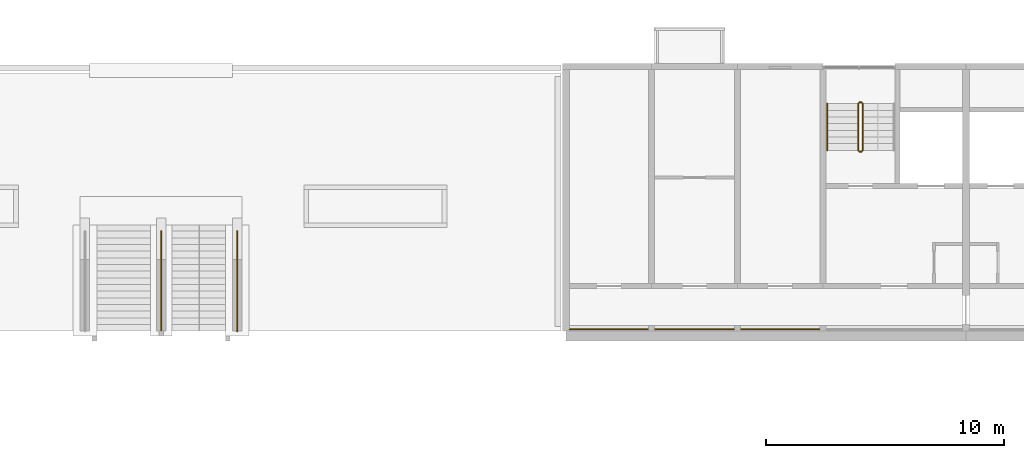
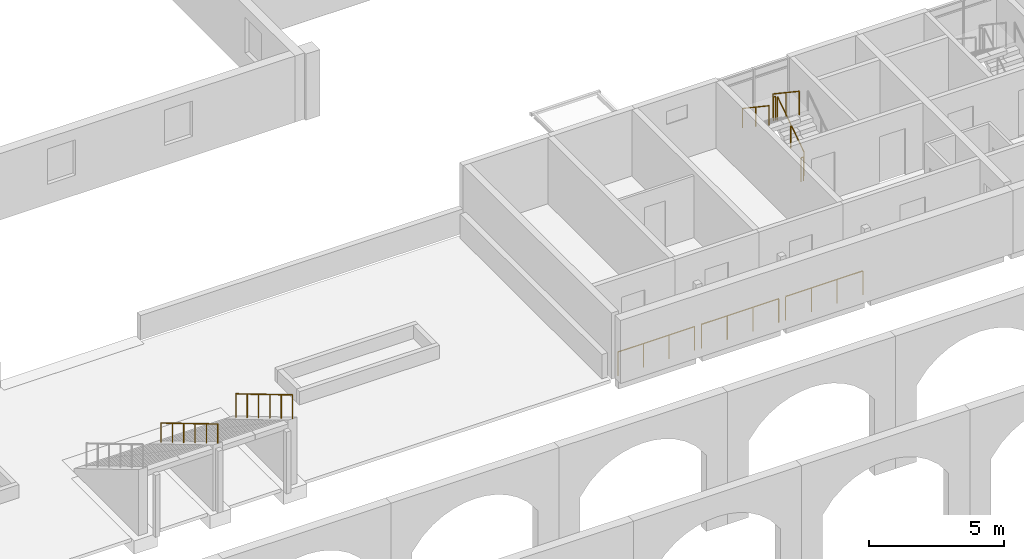
# One storey, part 111 of 122: 10 railings.
"""IFC4 building model written with IfcOpenShell, lengths in metres."""

from ifc_helpers import new_model, si_unit, direction, frame, origin, origin_2d, place, context, subcontext, project, spatial, circle, extrude, material, type_object, element, save


model = new_model("IFC4")

# Units and contexts
model_context = context("Model", 3, precision=1e-05, world=origin(), true_north=direction((0.0, 1.0)))
body_context = subcontext(model_context, "Body", "Model", "MODEL_VIEW")
ifc_project = project(units=[si_unit("LENGTHUNIT", "METRE"), si_unit("AREAUNIT", "SQUARE_METRE"), si_unit("VOLUMEUNIT", "CUBIC_METRE"), si_unit("PLANEANGLEUNIT", "RADIAN"), si_unit("MASSUNIT", "GRAM", prefix="KILO")], contexts=[model_context])

# Site, building, storey
site_placement = place(None, origin())
site = spatial("IfcSite", under=ifc_project, at=site_placement, CompositionType="ELEMENT")
building_placement = place(site_placement, origin())
building = spatial("IfcBuilding", under=site, at=building_placement, Name="Ridgestep Commons", CompositionType="ELEMENT")
storey_placement = place(building_placement, frame((0.0, 0.0, 3.0)))
storey = spatial("IfcBuildingStorey", under=building, at=storey_placement, Name="L01", CompositionType="ELEMENT", Elevation=3.0)

# Railings
ifc_material_1 = material(Name="Structural steel S355JR", Category="steel")
railing_type_1 = type_object("IfcRailingType", Name="Community stair guard 1100", PredefinedType="GUARDRAIL", material=ifc_material_1)
railing_1_placement = place(storey_placement, frame((133.0, 15.949951171875, 0.5)))
element("IfcRailing", 1, at=railing_1_placement, inside=storey, type_object=railing_type_1, Name="Stair guard", PredefinedType="GUARDRAIL", context=body_context, shape_type="SweptSolid", body=[
    extrude(circle(Radius=0.02392578125, at=origin_2d()), frame((0.0, 0.0, 1.076171875), z_axis=(0.0, -0.859290270856, 0.511488250512), x_axis=(1.0, 0.0, 0.0)), (0.0, 0.0, 1.0), 4.8876953125),
    extrude(circle(Radius=0.02099609375, at=origin_2d()), origin(), (0.0, 0.0, 1.0), 1.052001953125),
    extrude(circle(Radius=0.02099609375, at=origin_2d()), frame((0.0, -0.840087890625, 0.5)), (0.0, 0.0, 1.0), 1.052001953125),
    extrude(circle(Radius=0.02099609375, at=origin_2d()), frame((0.0, -1.679931640625, 1.0)), (0.0, 0.0, 1.0), 1.052001953125),
    extrude(circle(Radius=0.02099609375, at=origin_2d()), frame((0.0, -2.52001953125, 1.5)), (0.0, 0.0, 1.0), 1.052001953125),
    extrude(circle(Radius=0.02099609375, at=origin_2d()), frame((0.0, -3.35986328125, 2.0)), (0.0, 0.0, 1.0), 1.052001953125),
    extrude(circle(Radius=0.02099609375, at=origin_2d()), frame((0.0, -4.199951171875, 2.5)), (0.0, 0.0, 1.0), 1.052001953125),
])
ifc_material_2 = material(Name="Structural steel S355JR", Category="steel")
railing_type_2 = type_object("IfcRailingType", Name="Community stair handrail 900", PredefinedType="HANDRAIL", material=ifc_material_2)
railing_2_placement = place(storey_placement, frame((129.800048828125, 15.949951171875, 0.5)))
element("IfcRailing", 2, at=railing_2_placement, inside=storey, type_object=railing_type_2, Name="Stair centre handrail", PredefinedType="HANDRAIL", context=body_context, shape_type="SweptSolid", body=[
    extrude(circle(Radius=0.02392578125, at=origin_2d()), frame((0.0, 0.0, 0.8759765625), z_axis=(0.0, -0.859290270856, 0.511488250512), x_axis=(1.0, 0.0, 0.0)), (0.0, 0.0, 1.0), 4.8876953125),
    extrude(circle(Radius=0.02099609375, at=origin_2d()), origin(), (0.0, 0.0, 1.0), 0.851806640625),
    extrude(circle(Radius=0.02099609375, at=origin_2d()), frame((0.0, -0.840087890625, 0.5)), (0.0, 0.0, 1.0), 0.851806640625),
    extrude(circle(Radius=0.02099609375, at=origin_2d()), frame((0.0, -1.679931640625, 1.0)), (0.0, 0.0, 1.0), 0.851806640625),
    extrude(circle(Radius=0.02099609375, at=origin_2d()), frame((0.0, -2.52001953125, 1.5)), (0.0, 0.0, 1.0), 0.851806640625),
    extrude(circle(Radius=0.02099609375, at=origin_2d()), frame((0.0, -3.35986328125, 2.0)), (0.0, 0.0, 1.0), 0.851806640625),
    extrude(circle(Radius=0.02099609375, at=origin_2d()), frame((0.0, -4.199951171875, 2.5)), (0.0, 0.0, 1.0), 0.851806640625),
])
ifc_material_3 = material(Name="Structural steel S355JR galvanised", Category="steel")
railing_type_3 = type_object("IfcRailingType", Name="Passage guard 1100", PredefinedType="GUARDRAIL", material=ifc_material_3)
railing_3_placement = place(storey_placement, frame((146.970947265625, 11.830078125, 0.0)))
element("IfcRailing", 3, at=railing_3_placement, inside=storey, type_object=railing_type_3, Name="Passage guard D 01.1", PredefinedType="GUARDRAIL", context=body_context, shape_type="SweptSolid", body=[
    extrude(circle(Radius=0.02392578125, at=origin_2d()), frame((0.0, 0.0, 1.076171875), z_axis=(1.0, 0.0, 0.0), x_axis=(0.0, 1.0, 0.0)), (0.0, 0.0, 1.0), 3.282958984375),
    extrude(circle(Radius=0.02099609375, at=origin_2d()), origin(), (0.0, 0.0, 1.0), 1.052001953125),
    extrude(circle(Radius=0.02099609375, at=origin_2d()), frame((1.09423828125, 0.0, 0.0)), (0.0, 0.0, 1.0), 1.052001953125),
    extrude(circle(Radius=0.02099609375, at=origin_2d()), frame((2.188720703125, 0.0, 0.0)), (0.0, 0.0, 1.0), 1.052001953125),
    extrude(circle(Radius=0.02099609375, at=origin_2d()), frame((3.282958984375, 0.0, 0.0)), (0.0, 0.0, 1.0), 1.052001953125),
])
for number, where, name in (
    (4, (150.5458984375, 11.830078125, 0.0), "Passage guard D 01.2"),
    (5, (154.14599609375, 11.830078125, 0.0), "Passage guard D 01.3"),
):
    element("IfcRailing", number, at=place(storey_placement, frame(where)), inside=storey, type_object=railing_type_3, Name=name, PredefinedType="GUARDRAIL", context=body_context, shape_type="SweptSolid", body=[
        extrude(circle(Radius=0.02392578125, at=origin_2d()), frame((0.0, 0.0, 1.076171875), z_axis=(1.0, 0.0, 0.0), x_axis=(0.0, 1.0, 0.0)), (0.0, 0.0, 1.0), 3.30810546875),
        extrude(circle(Radius=0.02099609375, at=origin_2d()), origin(), (0.0, 0.0, 1.0), 1.052001953125),
        extrude(circle(Radius=0.02099609375, at=origin_2d()), frame((1.102783203125, 0.0, 0.0)), (0.0, 0.0, 1.0), 1.052001953125),
        extrude(circle(Radius=0.02099609375, at=origin_2d()), frame((2.205322265625, 0.0, 0.0)), (0.0, 0.0, 1.0), 1.052001953125),
        extrude(circle(Radius=0.02099609375, at=origin_2d()), frame((3.30810546875, 0.0, 0.0)), (0.0, 0.0, 1.0), 1.052001953125),
    ])
ifc_material_4 = material(Name="Structural steel S355JR", Category="steel")
railing_type_4 = type_object("IfcRailingType", Name="Stair guard 1100", PredefinedType="GUARDRAIL", material=ifc_material_4)
railing_4_placement = place(storey_placement, frame((159.27490234375, 19.35009765625, 0.1875)))
element("IfcRailing", 6, at=railing_4_placement, inside=storey, type_object=railing_type_4, Name="L01 D1C stair guard 1", PredefinedType="GUARDRAIL", context=body_context, shape_type="SweptSolid", body=[
    extrude(circle(Radius=0.02392578125, at=origin_2d()), frame((0.0, 0.0, 1.076171875), z_axis=(0.0, 0.830902050051, 0.556418712142), x_axis=(-1.0, 0.0, 0.0)), (0.0, 0.0, 1.0), 2.35888671875),
    extrude(circle(Radius=0.02099609375, at=origin_2d()), origin(), (0.0, 0.0, 1.0), 1.052001953125),
    extrude(circle(Radius=0.02099609375, at=origin_2d()), frame((0.0, 0.97998046875, 0.65625)), (0.0, 0.0, 1.0), 1.052001953125),
    extrude(circle(Radius=0.02099609375, at=origin_2d()), frame((0.0, 1.9599609375, 1.3125)), (0.0, 0.0, 1.0), 1.052001953125),
])
railing_5_placement = place(storey_placement, frame((159.22509765625, 21.360107421875, 1.5)))
element("IfcRailing", 7, at=railing_5_placement, inside=storey, type_object=railing_type_4, Name="L01 D1C stair guard 2", PredefinedType="GUARDRAIL", context=body_context, shape_type="SweptSolid", body=[
    extrude(circle(Radius=0.02392578125, at=origin_2d()), frame((0.0, 0.0, 1.076171875), z_axis=(-1.0, 0.0, 0.0), x_axis=(0.0, -1.0, 0.0)), (0.0, 0.0, 1.0), 0.10009765625),
    extrude(circle(Radius=0.02099609375, at=origin_2d()), origin(), (0.0, 0.0, 1.0), 1.052001953125),
    extrude(circle(Radius=0.02099609375, at=origin_2d()), frame((-0.10009765625, 0.0, 0.0)), (0.0, 0.0, 1.0), 1.052001953125),
])
railing_6_placement = place(storey_placement, frame((159.074951171875, 21.31005859375, 1.6875)))
element("IfcRailing", 8, at=railing_6_placement, inside=storey, type_object=railing_type_4, Name="L01 D1C stair guard 3", PredefinedType="GUARDRAIL", context=body_context, shape_type="SweptSolid", body=[
    extrude(circle(Radius=0.02392578125, at=origin_2d()), frame((0.0, 0.0, 1.076171875), z_axis=(0.0, -0.830902050051, 0.556418712142), x_axis=(1.0, 0.0, 0.0)), (0.0, 0.0, 1.0), 2.35888671875),
    extrude(circle(Radius=0.02099609375, at=origin_2d()), origin(), (0.0, 0.0, 1.0), 1.052001953125),
    extrude(circle(Radius=0.02099609375, at=origin_2d()), frame((0.0, -0.97998046875, 0.65625)), (0.0, 0.0, 1.0), 1.052001953125),
    extrude(circle(Radius=0.02099609375, at=origin_2d()), frame((0.0, -1.9599609375, 1.3125)), (0.0, 0.0, 1.0), 1.052001953125),
])
railing_7_placement = place(storey_placement, frame((159.22509765625, 19.300048828125, 0.0)))
element("IfcRailing", 9, at=railing_7_placement, inside=storey, type_object=railing_type_4, Name="L01 D1C stair guard 4", PredefinedType="GUARDRAIL", context=body_context, shape_type="SweptSolid", body=[
    extrude(circle(Radius=0.02392578125, at=origin_2d()), frame((0.0, 0.0, 1.076171875), z_axis=(-1.0, 0.0, 0.0), x_axis=(0.0, -1.0, 0.0)), (0.0, 0.0, 1.0), 0.10009765625),
    extrude(circle(Radius=0.02099609375, at=origin_2d()), origin(), (0.0, 0.0, 1.0), 1.052001953125),
    extrude(circle(Radius=0.02099609375, at=origin_2d()), frame((-0.10009765625, 0.0, 0.0)), (0.0, 0.0, 1.0), 1.052001953125),
])
ifc_material_5 = material(Name="Structural steel S355JR", Category="steel")
railing_type_5 = type_object("IfcRailingType", Name="Stair handrail 900", PredefinedType="HANDRAIL", material=ifc_material_5)
railing_8_placement = place(storey_placement, frame((157.77490234375, 21.31005859375, 1.6875)))
element("IfcRailing", 10, at=railing_8_placement, inside=storey, type_object=railing_type_5, Name="L01 D1C stair handrail 2", PredefinedType="HANDRAIL", context=body_context, shape_type="SweptSolid", body=[
    extrude(circle(Radius=0.02392578125, at=origin_2d()), frame((0.0, 0.0, 0.8759765625), z_axis=(0.0, -0.830902050051, 0.556418712142), x_axis=(1.0, 0.0, 0.0)), (0.0, 0.0, 1.0), 2.35888671875),
    extrude(circle(Radius=0.02099609375, at=origin_2d()), origin(), (0.0, 0.0, 1.0), 0.851806640625),
    extrude(circle(Radius=0.02099609375, at=origin_2d()), frame((0.0, -0.97998046875, 0.65625)), (0.0, 0.0, 1.0), 0.851806640625),
    extrude(circle(Radius=0.02099609375, at=origin_2d()), frame((0.0, -1.9599609375, 1.3125)), (0.0, 0.0, 1.0), 0.851806640625),
])

save(model, "model.ifc")
